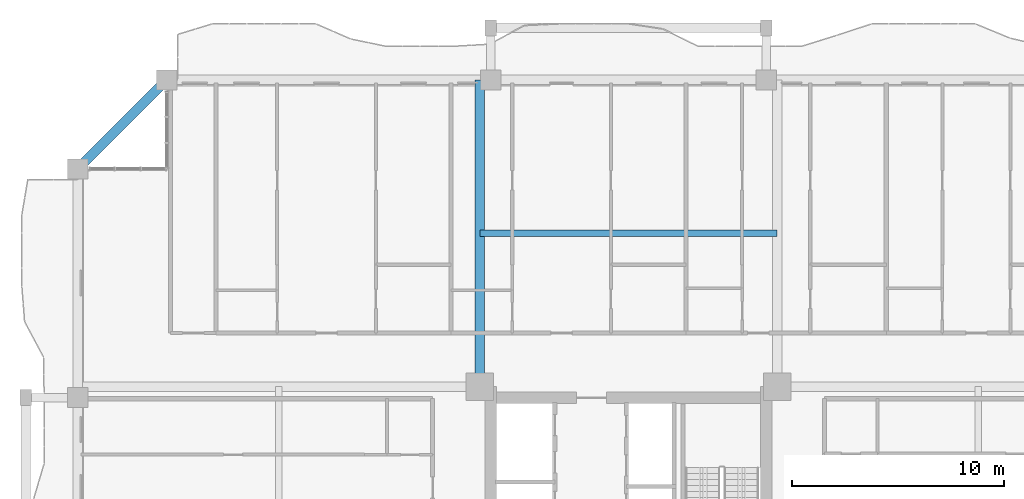
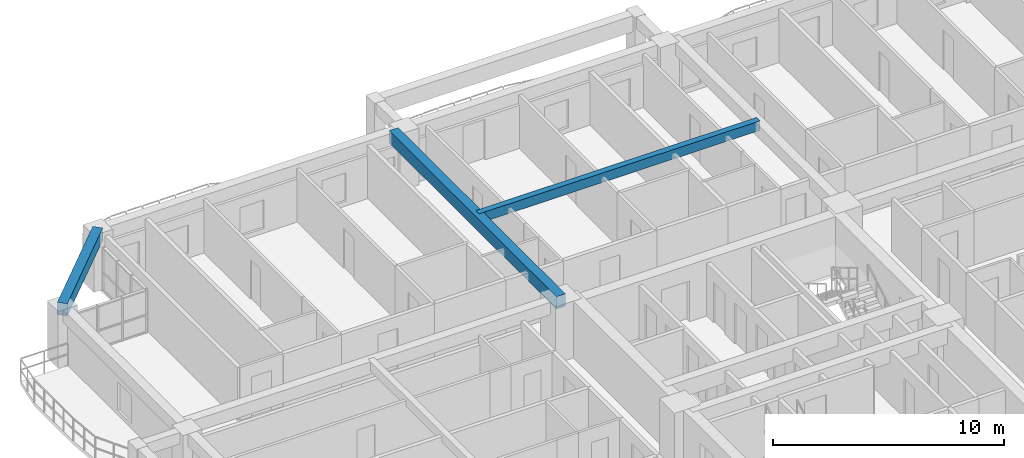
# One storey, part 7 of 26: 3 beams.
"""IFC4 building model written with IfcOpenShell, lengths in metres."""

from ifc_helpers import new_model, si_unit, direction, frame, origin, origin_2d, place, context, subcontext, project, spatial, rectangle, extrude, source, transform, mapped, material, material_profile, profile_set, type_object, element, save


model = new_model("IFC4")

# Units and contexts
model_context = context("Model", 3, precision=1e-05, world=origin(), true_north=direction((0.0, 1.0)))
body_context = subcontext(model_context, "Body", "Model", "MODEL_VIEW")
ifc_project = project(units=[si_unit("LENGTHUNIT", "METRE"), si_unit("AREAUNIT", "SQUARE_METRE"), si_unit("VOLUMEUNIT", "CUBIC_METRE"), si_unit("PLANEANGLEUNIT", "RADIAN"), si_unit("MASSUNIT", "GRAM", prefix="KILO")], contexts=[model_context])

# Site, building, storey
site_placement = place(None, origin())
site = spatial("IfcSite", under=ifc_project, at=site_placement, CompositionType="ELEMENT")
building_placement = place(site_placement, origin())
building = spatial("IfcBuilding", under=site, at=building_placement, Name="Saelheon Loggia Tower", CompositionType="ELEMENT")
storey_placement = place(building_placement, frame((0.0, 0.0, 89.85009765625)))
storey = spatial("IfcBuildingStorey", under=building, at=storey_placement, Name="L28", CompositionType="ELEMENT", Elevation=89.85009765625)

# Beams
ifc_material = material(Name="Concrete C40/50", Category="concrete")
ifc_material_profile_1 = material_profile(ifc_material, rectangle(XDim=0.449951171875, YDim=0.64990234375, at=origin_2d()), Name="RC-450x650")
ifc_profile_set_1 = profile_set([ifc_material_profile_1], Name="Concrete C40/50")
beam_type_1 = type_object("IfcBeamType", Name="Beam_PerimTower_RC450x650", PredefinedType="BEAM", material=ifc_profile_set_1)
shared_shape_1 = source(origin(), body_context, "Body", "SweptSolid", [
    extrude(rectangle(XDim=0.449951171875, YDim=0.64990234375, at=origin_2d()), origin(), (0.0, 0.0, 1.0), 5.939697265625),
])
beam_1_placement = place(storey_placement, frame((16.199951171875, 51.0, 2.6748046875), z_axis=(-0.707106781187, -0.707106781187, 0.0), x_axis=(0.707106781187, -0.707106781187, 0.0)))
element("IfcBeam", 1, at=beam_1_placement, inside=storey, type_object=beam_type_1, Name="L28 Perimeter Frame Girder 12", PredefinedType="BEAM", context=body_context, shape_type="MappedRepresentation", body=[
    mapped(shared_shape_1, transform((0.0, 0.0, 0.0), scale=1.0)),
])
ifc_material_profile_2 = material_profile(ifc_material, rectangle(XDim=0.449951171875, YDim=0.64990234375, at=origin_2d()), Name="RC-450x650")
ifc_profile_set_2 = profile_set([ifc_material_profile_2], Name="Concrete C40/50")
beam_type_2 = type_object("IfcBeamType", Name="Beam_TowerGirder_RC450x650", PredefinedType="BEAM", material=ifc_profile_set_2)
shared_shape_2 = source(origin(), body_context, "Body", "SweptSolid", [
    extrude(rectangle(XDim=0.449951171875, YDim=0.64990234375, at=origin_2d()), origin(), (0.0, 0.0, 1.0), 14.47998046875),
])
beam_2_placement = place(storey_placement, frame((30.97998046875, 36.52001953125, 2.6748046875), z_axis=(0.0, 1.0, 0.0), x_axis=(-1.0, 0.0, 0.0)))
element("IfcBeam", 2, at=beam_2_placement, inside=storey, type_object=beam_type_2, Name="L28 Radial Floor Girder RAD-NW-N", PredefinedType="BEAM", context=body_context, shape_type="MappedRepresentation", body=[
    mapped(shared_shape_2, transform((0.0, 0.0, 0.0), scale=1.0)),
])
ifc_material_profile_3 = material_profile(ifc_material, rectangle(XDim=0.300048828125, YDim=0.5, at=origin_2d()), Name="RC-300x500")
ifc_profile_set_3 = profile_set([ifc_material_profile_3], Name="Concrete C40/50")
beam_type_3 = type_object("IfcBeamType", Name="Beam_Joist_RC300x500", PredefinedType="JOIST", material=ifc_profile_set_3)
shared_shape_3 = source(origin(), body_context, "Body", "SweptSolid", [
    extrude(rectangle(XDim=0.300048828125, YDim=0.5, at=origin_2d()), origin(), (0.0, 0.0, 1.0), 14.0400390625),
])
beam_3_placement = place(storey_placement, frame((30.97998046875, 43.760009765625, 2.75), z_axis=(1.0, 0.0, 0.0), x_axis=(0.0, 1.0, 0.0)))
element("IfcBeam", 3, at=beam_3_placement, inside=storey, type_object=beam_type_3, Name="L28 North Floor Joist", PredefinedType="JOIST", context=body_context, shape_type="MappedRepresentation", body=[
    mapped(shared_shape_3, transform((0.0, 0.0, 0.0), scale=1.0)),
])

save(model, "model.ifc")
